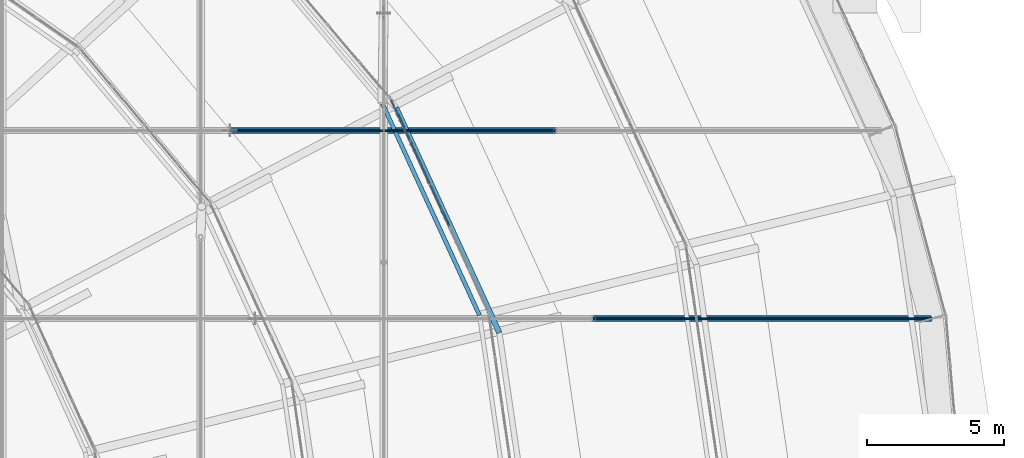
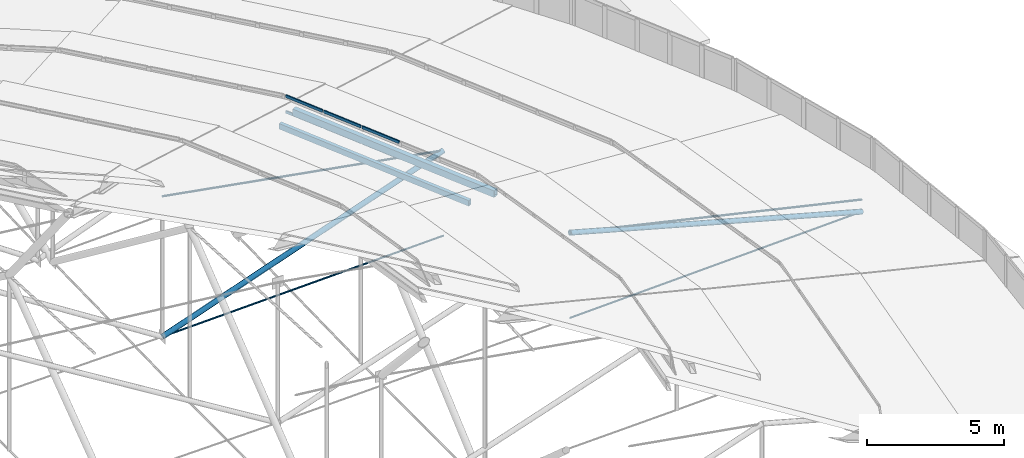
# One storey, part 97 of 173: 14 members, 1 element without a shape of its own.
"""IFC4 building model written with IfcOpenShell, lengths in metres."""

from ifc_helpers import new_model, si_unit, direction, frame, origin, origin_2d, place, context, subcontext, project, spatial, rectangle, hollow_rectangle, circle, hollow_circle, extrude, material, material_profile, profile_set, type_object, element, aggregate, save


model = new_model("IFC4")

# Units and contexts
model_context = context("Model", 3, precision=1e-05, world=origin(), true_north=direction((0.0, 1.0)))
body_context = subcontext(model_context, "Body", "Model", "MODEL_VIEW")
ifc_project = project(units=[si_unit("LENGTHUNIT", "METRE"), si_unit("AREAUNIT", "SQUARE_METRE"), si_unit("VOLUMEUNIT", "CUBIC_METRE"), si_unit("PLANEANGLEUNIT", "RADIAN"), si_unit("MASSUNIT", "GRAM", prefix="KILO")], contexts=[model_context])

# Site, building, storey
site_placement = place(None, origin())
site = spatial("IfcSite", under=ifc_project, at=site_placement, CompositionType="ELEMENT")
building_placement = place(site_placement, origin())
building = spatial("IfcBuilding", under=site, at=building_placement, Name="Glasvene Arena", CompositionType="ELEMENT")
storey_placement = place(building_placement, frame((0.0, 0.0, 28.800048828125)))
storey = spatial("IfcBuildingStorey", under=building, at=storey_placement, Name="RF", CompositionType="ELEMENT", Elevation=28.800048828125)

# Curtain wall, members
ifc_material_1 = material(Name="Low-emissivity laminated double glazing", Category="glass")
curtain_wall_type = type_object("IfcCurtainWallType", Name="CW-PET2-861x75", PredefinedType="USERDEFINED", material=ifc_material_1)
curtain_wall_placement = place(storey_placement, frame((125.226806640625, 80.248779296875, 0.0)))
curtain_wall = element("IfcCurtainWall", 1, at=curtain_wall_placement, inside=storey, type_object=curtain_wall_type, Name="Petal ring 2-3 clerestory curtain wall 02", ObjectType="CURTAIN WALL", PredefinedType="USERDEFINED")
ifc_material_2 = material(Name="Anodised architectural aluminium", Category="aluminium")
ifc_material_profile_1 = material_profile(ifc_material_2, rectangle(XDim=0.050048828125, YDim=0.1201171875, at=origin_2d()), Name="ALU TRANSOM 50x120")
ifc_profile_set_1 = profile_set([ifc_material_profile_1], Name="Anodised architectural aluminium")
member_type_1 = type_object("IfcMemberType", Name="CW-TRN-120", PredefinedType="USERDEFINED", material=ifc_profile_set_1)
member_1_placement = place(storey_placement, frame((123.78173828125, 83.40185546875, 5.204833984375), z_axis=(-0.416639624977, 0.909071736938, 0.0), x_axis=(-0.909071736938, -0.416639624977, 0.0)))
member_1 = element("IfcMember", 2, at=member_1_placement, type_object=member_type_1, Name="CW-088 transom 3.1", ObjectType="TRANSOM", PredefinedType="USERDEFINED", context=body_context, shape_type="SweptSolid", body=[
    extrude(rectangle(XDim=0.050048828125, YDim=0.1201171875, at=origin_2d()), origin(), (0.0, 0.0, 1.0), 1.671875),
])
member_2_placement = place(storey_placement, frame((123.78173828125, 83.40185546875, 5.905029296875), z_axis=(-0.416639624977, 0.909071736938, 0.0), x_axis=(-0.909071736938, -0.416639624977, 0.0)))
member_2 = element("IfcMember", 3, at=member_2_placement, type_object=member_type_1, Name="CW-088 transom 3.2", ObjectType="TRANSOM", PredefinedType="USERDEFINED", context=body_context, shape_type="SweptSolid", body=[
    extrude(rectangle(XDim=0.050048828125, YDim=0.1201171875, at=origin_2d()), origin(), (0.0, 0.0, 1.0), 1.671875),
])
member_3_placement = place(storey_placement, frame((123.064453125, 84.96728515625, 5.204833984375), z_axis=(-0.416639624977, 0.909071736938, 0.0), x_axis=(-0.909071736938, -0.416639624977, 0.0)))
member_3 = element("IfcMember", 4, at=member_3_placement, type_object=member_type_1, Name="CW-088 transom 4.1", ObjectType="TRANSOM", PredefinedType="USERDEFINED", context=body_context, shape_type="SweptSolid", body=[
    extrude(rectangle(XDim=0.050048828125, YDim=0.1201171875, at=origin_2d()), origin(), (0.0, 0.0, 1.0), 1.671875),
])
member_4_placement = place(storey_placement, frame((123.064453125, 84.96728515625, 5.905029296875), z_axis=(-0.416639624977, 0.909071736938, 0.0), x_axis=(-0.909071736938, -0.416639624977, 0.0)))
member_4 = element("IfcMember", 5, at=member_4_placement, type_object=member_type_1, Name="CW-088 transom 4.2", ObjectType="TRANSOM", PredefinedType="USERDEFINED", context=body_context, shape_type="SweptSolid", body=[
    extrude(rectangle(XDim=0.050048828125, YDim=0.1201171875, at=origin_2d()), origin(), (0.0, 0.0, 1.0), 1.671875),
])
member_5_placement = place(storey_placement, frame((122.34716796875, 86.532470703125, 5.204833984375), z_axis=(-0.416593451122, 0.909092897609, 0.0), x_axis=(-0.909092897609, -0.416593451122, 0.0)))
member_5 = element("IfcMember", 6, at=member_5_placement, type_object=member_type_1, Name="CW-088 transom 5.1", ObjectType="TRANSOM", PredefinedType="USERDEFINED", context=body_context, shape_type="SweptSolid", body=[
    extrude(rectangle(XDim=0.050048828125, YDim=0.1201171875, at=origin_2d()), origin(), (0.0, 0.0, 1.0), 1.646728515625),
])
member_6_placement = place(storey_placement, frame((122.34716796875, 86.532470703125, 5.905029296875), z_axis=(-0.416593451122, 0.909092897609, 0.0), x_axis=(-0.909092897609, -0.416593451122, 0.0)))
member_6 = element("IfcMember", 7, at=member_6_placement, type_object=member_type_1, Name="CW-088 transom 5.2", ObjectType="TRANSOM", PredefinedType="USERDEFINED", context=body_context, shape_type="SweptSolid", body=[
    extrude(rectangle(XDim=0.050048828125, YDim=0.1201171875, at=origin_2d()), origin(), (0.0, 0.0, 1.0), 1.646728515625),
])
aggregate(curtain_wall, [member_1, member_2, member_3, member_4, member_5, member_6])

# Members
ifc_material_3 = material(Name="High-strength steel spiral strand S460", Category="steel")
ifc_material_profile_2 = material_profile(ifc_material_3, circle(Radius=0.03759765625, at=origin_2d()), Name="LCSS D75")
ifc_profile_set_2 = profile_set([ifc_material_profile_2], Name="High-strength steel spiral strand S460")
member_type_2 = type_object("IfcMemberType", Name="MB-CABLE-75", PredefinedType="USERDEFINED", material=ifc_profile_set_2)
member_7_placement = place(storey_placement, frame((129.038330078125, 80.03955078125, -1.753173828125), z_axis=(0.999385261069, 0.0, 0.035058521913), x_axis=(0.0, 1.0, 0.0)))
element("IfcMember", 8, at=member_7_placement, inside=storey, type_object=member_type_2, Name="Lower stabilization roof cable EW05-08", ObjectType="ROOF CABLE", PredefinedType="USERDEFINED", context=body_context, shape_type="SweptSolid", body=[
    extrude(circle(Radius=0.03759765625, at=origin_2d()), origin(), (0.0, 0.0, 1.0), 12.353759765625),
])
member_8_placement = place(storey_placement, frame((115.7763671875, 86.90576171875, -2.112548828125), z_axis=(0.999543398648, 0.0, 0.030215794201), x_axis=(0.0, 1.0, 0.0)))
element("IfcMember", 9, at=member_8_placement, inside=storey, type_object=member_type_2, Name="Lower stabilization roof cable EW06-07", ObjectType="ROOF CABLE", PredefinedType="USERDEFINED", context=body_context, shape_type="SweptSolid", body=[
    extrude(circle(Radius=0.03759765625, at=origin_2d()), origin(), (0.0, 0.0, 1.0), 11.8935546875),
])
ifc_material_profile_3 = material_profile(ifc_material_3, circle(Radius=0.044921875, at=origin_2d()), Name="LCSS D90")
ifc_profile_set_3 = profile_set([ifc_material_profile_3], Name="High-strength steel spiral strand S460")
member_type_3 = type_object("IfcMemberType", Name="MB-CABLE-90", PredefinedType="USERDEFINED", material=ifc_profile_set_3)
member_9_placement = place(storey_placement, frame((129.038330078125, 80.03955078125, 2.06103515625), z_axis=(0.974530343861, 0.0, -0.224255677507), x_axis=(0.0, 1.0, 0.0)))
element("IfcMember", 10, at=member_9_placement, inside=storey, type_object=member_type_3, Name="Upper lens roof cable EW05-08", ObjectType="ROOF CABLE", PredefinedType="USERDEFINED", context=body_context, shape_type="SweptSolid", body=[
    extrude(circle(Radius=0.044921875, at=origin_2d()), origin(), (0.0, 0.0, 1.0), 12.6689453125),
])
member_10_placement = place(storey_placement, frame((115.7763671875, 86.90576171875, 4.1669921875), z_axis=(0.98466934611, 0.0, -0.174431301178), x_axis=(0.0, 1.0, 0.0)))
element("IfcMember", 11, at=member_10_placement, inside=storey, type_object=member_type_3, Name="Upper lens roof cable EW06-07", ObjectType="ROOF CABLE", PredefinedType="USERDEFINED", context=body_context, shape_type="SweptSolid", body=[
    extrude(circle(Radius=0.044921875, at=origin_2d()), origin(), (0.0, 0.0, 1.0), 12.0732421875),
])
ifc_material_4 = material(Name="Steel S355J2", Category="steel")
ifc_material_profile_4 = material_profile(ifc_material_4, hollow_rectangle(XDim=0.14990234375, YDim=0.25, WallThickness=0.010009765625, at=origin_2d()), Name="RHS 250x150x10.0")
ifc_profile_set_4 = profile_set([ifc_material_profile_4], Name="Steel S355J2")
member_type_4 = type_object("IfcMemberType", Name="MB-PURLIN-RHS250", PredefinedType="PURLIN", material=ifc_profile_set_4)
member_11_placement = place(storey_placement, frame((124.888671875, 80.161865234375, 4.781982421875), z_axis=(-0.416805653685, 0.908995625433, 0.0), x_axis=(-0.908995625433, -0.416805653685, 0.0)))
element("IfcMember", 12, at=member_11_placement, inside=storey, type_object=member_type_4, Name="Petal ring 2 ridge purlin 02", PredefinedType="PURLIN", context=body_context, shape_type="SweptSolid", body=[
    extrude(hollow_rectangle(XDim=0.14990234375, YDim=0.25, WallThickness=0.010009765625, at=origin_2d()), origin(), (0.0, 0.0, 1.0), 8.520751953125),
])
ifc_material_profile_5 = material_profile(ifc_material_4, hollow_rectangle(XDim=0.199951171875, YDim=0.300048828125, WallThickness=0.012451171875, at=origin_2d()), Name="RHS 300x200x12.5")
ifc_profile_set_5 = profile_set([ifc_material_profile_5], Name="Steel S355J2")
member_type_5 = type_object("IfcMemberType", Name="MB-PURLIN-RHS300", PredefinedType="PURLIN", material=ifc_profile_set_5)
member_12_placement = place(storey_placement, frame((125.612060546875, 79.525634765625, 5.33935546875), z_axis=(-0.417281625524, 0.908777225177, 0.0), x_axis=(-0.908777225177, -0.417281625524, 0.0)))
element("IfcMember", 13, at=member_12_placement, inside=storey, type_object=member_type_5, Name="Petal ring 3 outer purlin 02", PredefinedType="PURLIN", context=body_context, shape_type="SweptSolid", body=[
    extrude(hollow_rectangle(XDim=0.199951171875, YDim=0.300048828125, WallThickness=0.012451171875, at=origin_2d()), origin(), (0.0, 0.0, 1.0), 9.0498046875),
])
ifc_material_profile_6 = material_profile(ifc_material_4, hollow_circle(Radius=0.109619140625, WallThickness=0.010009765625, at=origin_2d()), Name="CHS 219.1x10.0")
ifc_profile_set_6 = profile_set([ifc_material_profile_6], Name="Steel S355J2")
member_type_6 = type_object("IfcMemberType", Name="MB-WEB-CHS219", PredefinedType="BRACE", material=ifc_profile_set_6)
member_13_placement = place(storey_placement, frame((129.038330078125, 80.03955078125, 2.06103515625), z_axis=(0.964486445383, 0.0, -0.264132346888), x_axis=(0.0, 1.0, 0.0)))
element("IfcMember", 14, at=member_13_placement, inside=storey, type_object=member_type_6, Name="Cable-truss diagonal web strut EW05-08", PredefinedType="BRACE", context=body_context, shape_type="SweptSolid", body=[
    extrude(hollow_circle(Radius=0.109619140625, WallThickness=0.010009765625, at=origin_2d()), origin(), (0.0, 0.0, 1.0), 12.80078125),
])
member_14_placement = place(storey_placement, frame((115.7763671875, 86.90576171875, -2.112548828125), z_axis=(0.943543148892, 0.0, 0.331249643289), x_axis=(0.0, 1.0, 0.0)))
element("IfcMember", 15, at=member_14_placement, inside=storey, type_object=member_type_6, Name="Cable-truss diagonal web strut EW06-07", PredefinedType="BRACE", context=body_context, shape_type="SweptSolid", body=[
    extrude(hollow_circle(Radius=0.109619140625, WallThickness=0.010009765625, at=origin_2d()), origin(), (0.0, 0.0, 1.0), 12.599609375),
])

save(model, "model.ifc")
